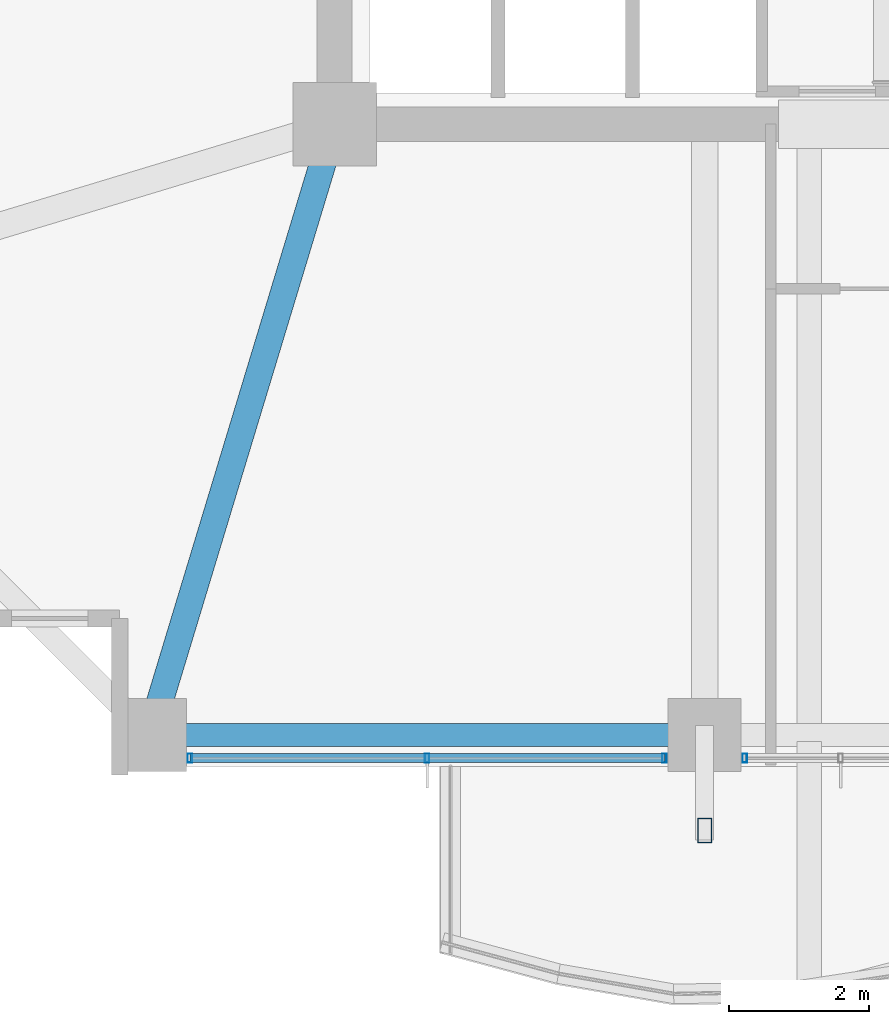
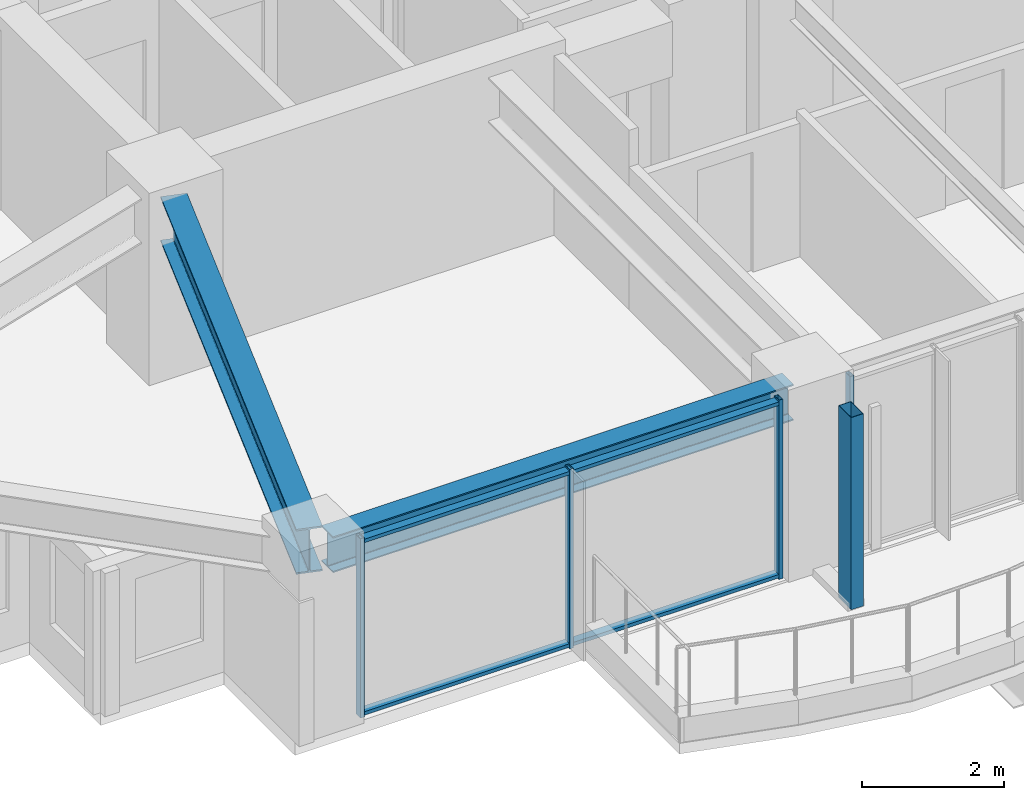
# One storey, part 2 of 31: 7 members, 2 beams, 2 elements without a shape of their own.
"""IFC4 building model written with IfcOpenShell, lengths in metres."""

from ifc_helpers import new_model, si_unit, direction, frame, origin, origin_2d, place, context, subcontext, project, spatial, hollow_rectangle, i_section, extrude, material, material_profile, profile_set, type_object, element, aggregate, save


model = new_model("IFC4")

# Units and contexts
model_context = context("Model", 3, precision=1e-05, world=origin(), true_north=direction((0.0, 1.0)))
body_context = subcontext(model_context, "Body", "Model", "MODEL_VIEW")
ifc_project = project(units=[si_unit("LENGTHUNIT", "METRE"), si_unit("AREAUNIT", "SQUARE_METRE"), si_unit("VOLUMEUNIT", "CUBIC_METRE"), si_unit("PLANEANGLEUNIT", "RADIAN"), si_unit("MASSUNIT", "GRAM", prefix="KILO")], contexts=[model_context])

# Site, building, storey
site_placement = place(None, origin())
site = spatial("IfcSite", under=ifc_project, at=site_placement, CompositionType="ELEMENT")
building_placement = place(site_placement, origin())
building = spatial("IfcBuilding", under=site, at=building_placement, Name="Kolvaren Belvedere", CompositionType="ELEMENT")
storey_placement = place(building_placement, frame((0.0, 0.0, 118.39990234375)))
storey = spatial("IfcBuildingStorey", under=building, at=storey_placement, Name="L34", CompositionType="ELEMENT", Elevation=118.39990234375)

# Beams
ifc_material_1 = material(Name="Structural steel ASTM A992 Grade 50", Category="steel")
ifc_material_profile_1 = material_profile(ifc_material_1, i_section(OverallWidth=0.381103515625, OverallDepth=0.77294921875, WebThickness=0.0166015625, FlangeThickness=0.027099609375, FilletRadius=0.02392578125, at=origin_2d()), Name="W30X173")
ifc_profile_set_1 = profile_set([ifc_material_profile_1], Name="Structural steel ASTM A992 Grade 50")
beam_type_1 = type_object("IfcBeamType", Name="BM-GIRD-W30X173", PredefinedType="BEAM", material=ifc_profile_set_1)
beam_1_placement = place(storey_placement, frame((-10.059326171875, -10.426513671875, 2.693603515625), z_axis=(-0.289858652454, -0.957069465398, 0.0), x_axis=(0.957069465398, -0.289858652454, 0.0)))
element("IfcBeam", 1, at=beam_1_placement, inside=storey, type_object=beam_type_1, Name="L34 Corner Core-to-Perimeter Girder CC1-S1", PredefinedType="BEAM", context=body_context, shape_type="SweptSolid", body=[
    extrude(i_section(OverallWidth=0.381103515625, OverallDepth=0.77294921875, WebThickness=0.0166015625, FlangeThickness=0.027099609375, FilletRadius=0.02392578125, at=origin_2d()), origin(), (0.0, 0.0, 1.0), 8.38232421875),
])
ifc_material_2 = material(Name="Structural steel ASTM A992 Grade 50", Category="steel")
ifc_material_profile_2 = material_profile(ifc_material_2, i_section(OverallWidth=0.324951171875, OverallDepth=0.615966796875, WebThickness=0.013916015625, FlangeThickness=0.021484375, FilletRadius=0.02001953125, at=origin_2d()), Name="W24X117")
ifc_profile_set_2 = profile_set([ifc_material_profile_2], Name="Structural steel ASTM A992 Grade 50")
beam_type_2 = type_object("IfcBeamType", Name="BM-SPAN-W24X117", PredefinedType="SPANDREL", material=ifc_profile_set_2)
beam_2_placement = place(storey_placement, frame((-12.313720703125, -18.64990234375, 2.772216796875), z_axis=(1.0, 0.0, 0.0), x_axis=(0.0, 1.0, 0.0)))
element("IfcBeam", 2, at=beam_2_placement, inside=storey, type_object=beam_type_2, Name="L34 Perimeter Spandrel S1-S2", PredefinedType="SPANDREL", context=body_context, shape_type="SweptSolid", body=[
    extrude(i_section(OverallWidth=0.324951171875, OverallDepth=0.615966796875, WebThickness=0.013916015625, FlangeThickness=0.021484375, FilletRadius=0.02001953125, at=origin_2d()), origin(), (0.0, 0.0, 1.0), 7.4775390625),
])

# Curtain wall, member
ifc_material_3 = material(Name="Anodised pale-metal aluminium AA 6063-T6", Category="aluminium")
curtain_wall_type = type_object("IfcCurtainWallType", Name="CW-Z3-WAIST", PredefinedType="NOTDEFINED", material=ifc_material_3)
curtain_wall_1_placement = place(storey_placement, origin())
curtain_wall_1 = element("IfcCurtainWall", 3, at=curtain_wall_1_placement, inside=storey, type_object=curtain_wall_type, Name="L34 Unitised Curtain Wall FCW-L34-S2-B1", PredefinedType="NOTDEFINED")
ifc_material_4 = material(Name="Anodised pale-metal aluminium AA 6063-T6", Category="aluminium")
ifc_material_profile_3 = material_profile(ifc_material_4, hollow_rectangle(XDim=0.06494140625, YDim=0.1298828125, WallThickness=0.00390625, at=origin_2d()), Name="ALU-MUL-130X65")
ifc_profile_set_3 = profile_set([ifc_material_profile_3], Name="Anodised pale-metal aluminium AA 6063-T6")
member_type_1 = type_object("IfcMemberType", Name="CW-MUL-130", PredefinedType="MULLION", material=ifc_profile_set_3)
member_1_placement = place(storey_placement, frame((-4.0224609375, -18.97998046875, 0.0), z_axis=(0.0, 0.0, 1.0), x_axis=(1.0, 0.0, 0.0)))
member_1 = element("IfcMember", 4, at=member_1_placement, type_object=member_type_1, Name="FCW-L34-S2-B1 Unitised Mullion 3", PredefinedType="MULLION", context=body_context, shape_type="SweptSolid", body=[
    extrude(hollow_rectangle(XDim=0.06494140625, YDim=0.1298828125, WallThickness=0.00390625, at=origin_2d()), origin(), (0.0, 0.0, 1.0), 3.080078125),
])
aggregate(curtain_wall_1, [member_1])

# Curtain wall, members
curtain_wall_2_placement = place(storey_placement, origin())
curtain_wall_2 = element("IfcCurtainWall", 5, at=curtain_wall_2_placement, inside=storey, type_object=curtain_wall_type, Name="L34 Unitised Curtain Wall FCW-L34-S2-B2", PredefinedType="NOTDEFINED")
member_2_placement = place(storey_placement, frame((-5.177490234375, -18.97998046875, 0.0), z_axis=(0.0, 0.0, 1.0), x_axis=(1.0, 0.0, 0.0)))
member_2 = element("IfcMember", 6, at=member_2_placement, type_object=member_type_1, Name="FCW-L34-S2-B2 Unitised Mullion 1", PredefinedType="MULLION", context=body_context, shape_type="SweptSolid", body=[
    extrude(hollow_rectangle(XDim=0.06494140625, YDim=0.1298828125, WallThickness=0.00390625, at=origin_2d()), origin(), (0.0, 0.0, 1.0), 3.080078125),
])
member_3_placement = place(storey_placement, frame((-8.574951171875, -18.97998046875, 0.0), z_axis=(0.0, 0.0, 1.0), x_axis=(1.0, 0.0, 0.0)))
member_3 = element("IfcMember", 7, at=member_3_placement, type_object=member_type_1, Name="FCW-L34-S2-B2 Unitised Mullion 2", PredefinedType="MULLION", context=body_context, shape_type="SweptSolid", body=[
    extrude(hollow_rectangle(XDim=0.06494140625, YDim=0.1298828125, WallThickness=0.00390625, at=origin_2d()), origin(), (0.0, 0.0, 1.0), 3.080078125),
])
member_4_placement = place(storey_placement, frame((-11.972412109375, -18.97998046875, 0.0), z_axis=(0.0, 0.0, 1.0), x_axis=(1.0, 0.0, 0.0)))
member_4 = element("IfcMember", 8, at=member_4_placement, type_object=member_type_1, Name="FCW-L34-S2-B2 Unitised Mullion 3", PredefinedType="MULLION", context=body_context, shape_type="SweptSolid", body=[
    extrude(hollow_rectangle(XDim=0.06494140625, YDim=0.1298828125, WallThickness=0.00390625, at=origin_2d()), origin(), (0.0, 0.0, 1.0), 3.080078125),
])
ifc_material_5 = material(Name="Anodised pale-metal aluminium AA 6063-T6", Category="aluminium")
ifc_material_profile_4 = material_profile(ifc_material_5, hollow_rectangle(XDim=0.06005859375, YDim=0.1298828125, WallThickness=0.00390625, at=origin_2d()), Name="ALU-TRN-130X60")
ifc_profile_set_4 = profile_set([ifc_material_profile_4], Name="Anodised pale-metal aluminium AA 6063-T6")
member_type_2 = type_object("IfcMemberType", Name="CW-TRN-130", PredefinedType="USERDEFINED", material=ifc_profile_set_4)
member_5_placement = place(storey_placement, frame((-5.177490234375, -18.97998046875, 0.06005859375), z_axis=(-1.0, 0.0, 0.0), x_axis=(0.0, 0.0, 1.0)))
member_5 = element("IfcMember", 9, at=member_5_placement, type_object=member_type_2, Name="FCW-L34-S2-B2 Sill Transom", ObjectType="TRANSOM", PredefinedType="USERDEFINED", context=body_context, shape_type="SweptSolid", body=[
    extrude(hollow_rectangle(XDim=0.06005859375, YDim=0.1298828125, WallThickness=0.00390625, at=origin_2d()), origin(), (0.0, 0.0, 1.0), 6.794921875),
])
member_6_placement = place(storey_placement, frame((-5.177490234375, -18.97998046875, 3.02001953125), z_axis=(-1.0, 0.0, 0.0), x_axis=(0.0, 0.0, 1.0)))
member_6 = element("IfcMember", 10, at=member_6_placement, type_object=member_type_2, Name="FCW-L34-S2-B2 Head Transom", ObjectType="TRANSOM", PredefinedType="USERDEFINED", context=body_context, shape_type="SweptSolid", body=[
    extrude(hollow_rectangle(XDim=0.06005859375, YDim=0.1298828125, WallThickness=0.00390625, at=origin_2d()), origin(), (0.0, 0.0, 1.0), 6.794921875),
])
aggregate(curtain_wall_2, [member_2, member_3, member_4, member_5, member_6])

# Member
ifc_material_6 = material(Name="Anodised pale-metal aluminium AA 6063-T6", Category="aluminium")
ifc_material_profile_5 = material_profile(ifc_material_6, hollow_rectangle(XDim=0.199951171875, YDim=0.35009765625, WallThickness=0.007568359375, at=origin_2d()), Name="ALU-PF-350X200")
ifc_profile_set_5 = profile_set([ifc_material_profile_5], Name="Anodised pale-metal aluminium AA 6063-T6")
member_type_3 = type_object("IfcMemberType", Name="PF-FRAME-350", PredefinedType="USERDEFINED", material=ifc_profile_set_5)
member_7_placement = place(storey_placement, frame((-4.60009765625, -20.02001953125, 0.0), z_axis=(0.0, 0.0, 1.0), x_axis=(1.0, 0.0, 0.0)))
element("IfcMember", 11, at=member_7_placement, inside=storey, type_object=member_type_3, Name="L34 Outboard Picture-Frame Vertical S2", ObjectType="PICTURE FRAME FIN", PredefinedType="USERDEFINED", context=body_context, shape_type="SweptSolid", body=[
    extrude(hollow_rectangle(XDim=0.199951171875, YDim=0.35009765625, WallThickness=0.007568359375, at=origin_2d()), origin(), (0.0, 0.0, 1.0), 3.300048828125),
])

save(model, "model.ifc")
